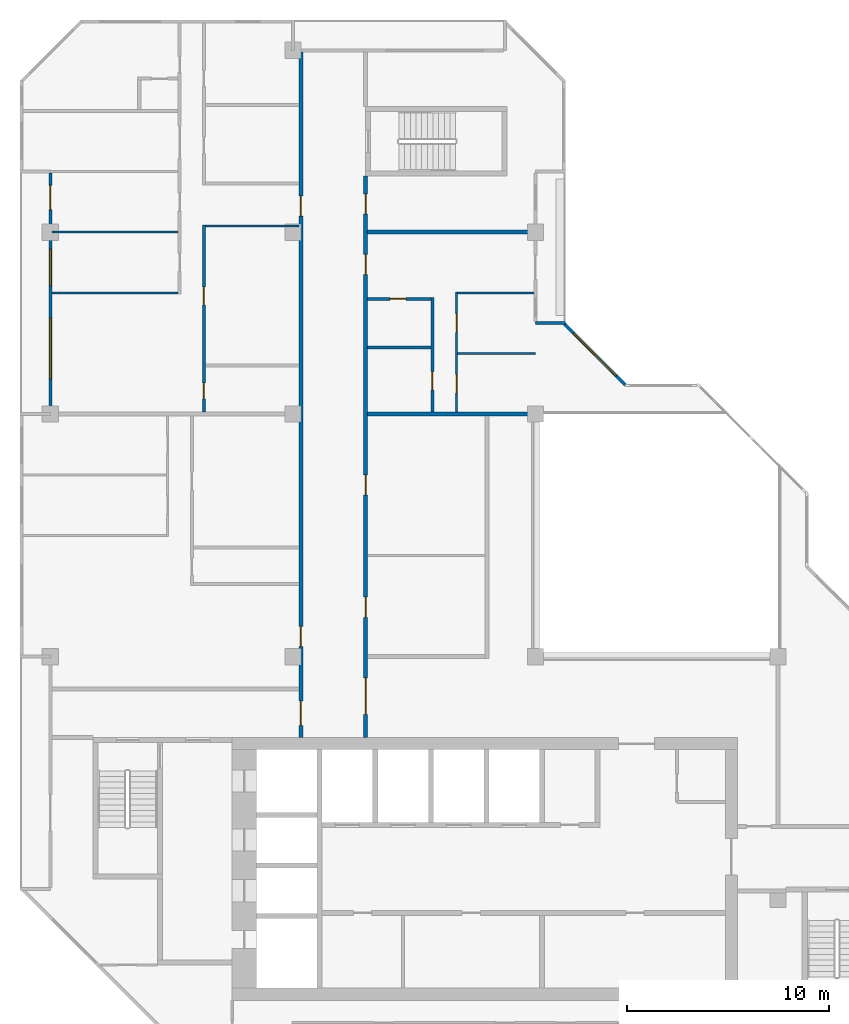
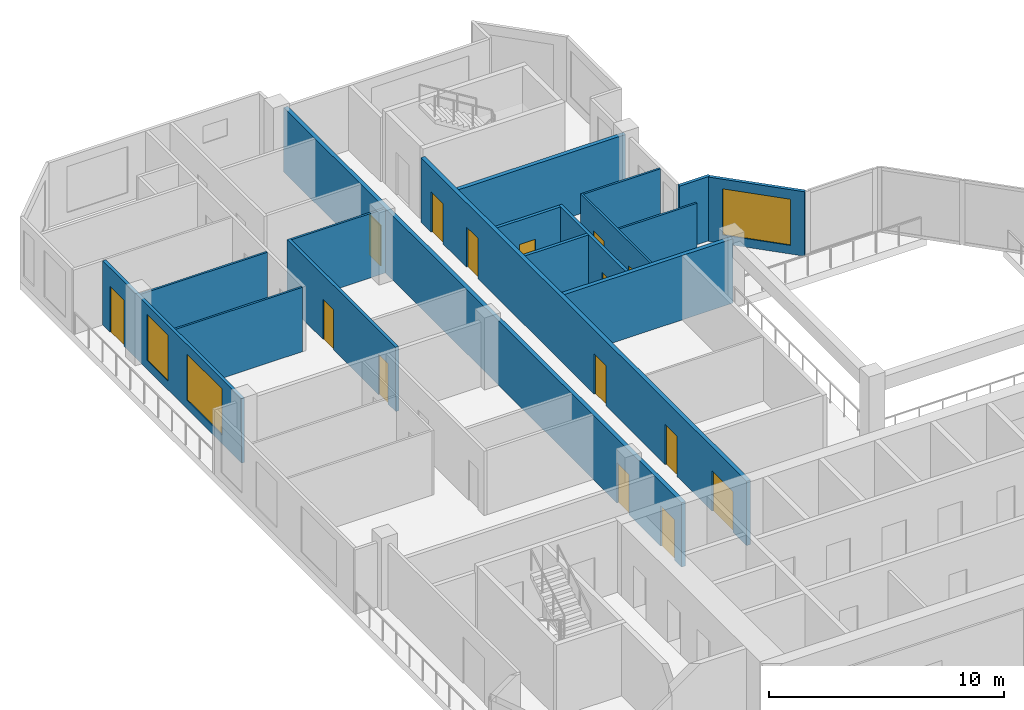
# One storey, part 9 of 13: 17 walls, 15 doors, 3 windows, 18 openings.
"""IFC4 building model written with IfcOpenShell, lengths in metres."""

from ifc_helpers import new_model, si_unit, direction, frame, frame_2d, origin, place, context, subcontext, project, spatial, rectangle, extrude, material, layer, layer_set, type_object, element, fill, save


model = new_model("IFC4")

# Units and contexts
model_context = context("Model", 3, precision=1e-05, world=origin(), true_north=direction((0.0, 1.0)))
body_context = subcontext(model_context, "Body", "Model", "MODEL_VIEW")
ifc_project = project(units=[si_unit("LENGTHUNIT", "METRE"), si_unit("AREAUNIT", "SQUARE_METRE"), si_unit("VOLUMEUNIT", "CUBIC_METRE"), si_unit("PLANEANGLEUNIT", "RADIAN"), si_unit("MASSUNIT", "GRAM", prefix="KILO")], contexts=[model_context])

# Site, building, storey
site_placement = place(None, origin())
site = spatial("IfcSite", under=ifc_project, at=site_placement, CompositionType="ELEMENT")
building_placement = place(site_placement, origin())
building = spatial("IfcBuilding", under=site, at=building_placement, Name="Chenar Terraces", CompositionType="ELEMENT")
storey_placement = place(building_placement, frame((0.0, 0.0, 284.64990234375)))
storey = spatial("IfcBuildingStorey", under=building, at=storey_placement, Name="L66", CompositionType="ELEMENT", Elevation=284.64990234375)

# Wall, openings, doors
ifc_material_1 = material(Name="Gypsum board on steel studs with fire boards", Category="steel")
ifc_layer_1 = layer(ifc_material_1, 0.199951171875)
ifc_layer_set_1 = layer_set([ifc_layer_1], Name="Gypsum board on steel studs with fire boards")
wall_type_1 = type_object("IfcWallType", Name="Corridor wall 200", PredefinedType="PARTITIONING", material=ifc_layer_set_1)
wall_1_placement = place(storey_placement, frame((12.39990234375, 20.0, 0.0), z_axis=(0.0, 0.0, 1.0), x_axis=(0.0, 1.0, 0.0)))
wall_1 = element("IfcWall", 1, at=wall_1_placement, inside=storey, type_object=wall_type_1, Name="Partition L66-028", PredefinedType="PARTITIONING", context=body_context, shape_type="SweptSolid", body=[
    extrude(rectangle(XDim=33.926025390625, YDim=0.199951171875, at=frame_2d((16.962890625, 0.0))), origin(), (0.0, 0.0, 1.0), 3.35009765625),
])
opening_1_placement = place(wall_1_placement, frame((25.800048828125, 0.0, 0.0)))
opening_1 = element("IfcOpeningElement", 2, at=opening_1_placement, cuts=wall_1, Name="Opening DL66-24", PredefinedType="OPENING", context=body_context, shape_type="SweptSolid", body=[
    extrude(rectangle(XDim=1.0, YDim=2.10009765625, at=frame_2d((0.5, 1.050048828125))), frame((0.0, 0.10986328125, 0.0), z_axis=(0.0, -1.0, 0.0), x_axis=(1.0, 0.0, 0.0)), (0.0, 0.0, 1.0), 0.219970703125),
])
opening_2_placement = place(wall_1_placement, frame((0.60009765625, 0.0, 0.0)))
opening_2 = element("IfcOpeningElement", 3, at=opening_2_placement, cuts=wall_1, Name="Opening DL66-30", PredefinedType="OPENING", context=body_context, shape_type="SweptSolid", body=[
    extrude(rectangle(XDim=1.199951171875, YDim=2.10009765625, at=frame_2d((0.60009765625, 1.050048828125))), frame((0.0, 0.10986328125, 0.0), z_axis=(0.0, -1.0, 0.0), x_axis=(1.0, 0.0, 0.0)), (0.0, 0.0, 1.0), 0.219970703125),
])
opening_3_placement = place(wall_1_placement, frame((4.5, 0.0, 0.0)))
opening_3 = element("IfcOpeningElement", 4, at=opening_3_placement, cuts=wall_1, Name="Opening DL66-53", PredefinedType="OPENING", context=body_context, shape_type="SweptSolid", body=[
    extrude(rectangle(XDim=1.0, YDim=2.10009765625, at=frame_2d((0.5, 1.050048828125))), frame((0.0, 0.10986328125, 0.0), z_axis=(0.0, -1.0, 0.0), x_axis=(1.0, 0.0, 0.0)), (0.0, 0.0, 1.0), 0.219970703125),
])
ifc_material_2 = material(Name="Steel-framed fire-resisting door leaf", Category="steel")
door_type_1 = type_object("IfcDoorType", Name="Fire door FD30S 1000 x 2100", OperationType="SINGLE_SWING_LEFT", PredefinedType="DOOR", material=ifc_material_2)
door_1_placement = place(opening_1_placement, origin())
door_1 = element("IfcDoor", 5, at=door_1_placement, inside=storey, type_object=door_type_1, Name="Door DL66-24", OperationType="SINGLE_SWING_LEFT", OverallHeight=2.10009765625, OverallWidth=1.0, PredefinedType="DOOR", context=body_context, shape_type="SweptSolid", body=[
    extrude(rectangle(XDim=1.0, YDim=2.10009765625, at=frame_2d((0.5, 1.050048828125))), frame((0.0, 0.02490234375, 0.0), z_axis=(0.0, -1.0, 0.0), x_axis=(1.0, 0.0, 0.0)), (0.0, 0.0, 1.0), 0.050048828125),
])
fill(opening_1, door_1)
door_2_placement = place(opening_3_placement, origin())
door_2 = element("IfcDoor", 6, at=door_2_placement, inside=storey, type_object=door_type_1, Name="Door DL66-53", OperationType="SINGLE_SWING_LEFT", OverallHeight=2.10009765625, OverallWidth=1.0, PredefinedType="DOOR", context=body_context, shape_type="SweptSolid", body=[
    extrude(rectangle(XDim=1.0, YDim=2.10009765625, at=frame_2d((0.5, 1.050048828125))), frame((0.0, 0.02490234375, 0.0), z_axis=(0.0, -1.0, 0.0), x_axis=(1.0, 0.0, 0.0)), (0.0, 0.0, 1.0), 0.050048828125),
])
fill(opening_3, door_2)
ifc_material_3 = material(Name="Steel-framed fire-resisting door leaf", Category="steel")
door_type_2 = type_object("IfcDoorType", Name="Fire door FD30S 1200 x 2100", OperationType="SINGLE_SWING_LEFT", PredefinedType="DOOR", material=ifc_material_3)
door_3_placement = place(opening_2_placement, origin())
door_3 = element("IfcDoor", 7, at=door_3_placement, inside=storey, type_object=door_type_2, Name="Door DL66-30", OperationType="SINGLE_SWING_RIGHT", OverallHeight=2.10009765625, OverallWidth=1.199951171875, PredefinedType="DOOR", context=body_context, shape_type="SweptSolid", body=[
    extrude(rectangle(XDim=1.199951171875, YDim=2.10009765625, at=frame_2d((0.60009765625, 1.050048828125))), frame((0.0, 0.02490234375, 0.0), z_axis=(0.0, -1.0, 0.0), x_axis=(1.0, 0.0, 0.0)), (0.0, 0.0, 1.0), 0.050048828125),
])
fill(opening_2, door_3)

wall_2_placement = place(storey_placement, frame((15.60009765625, 20.0, 0.0), z_axis=(0.0, 0.0, 1.0), x_axis=(0.0, 1.0, 0.0)))
wall_2 = element("IfcWall", 8, at=wall_2_placement, inside=storey, type_object=wall_type_1, Name="Partition L66-029", PredefinedType="PARTITIONING", context=body_context, shape_type="SweptSolid", body=[
    extrude(rectangle(XDim=27.77490234375, YDim=0.199951171875, at=frame_2d((13.887451171875, 0.0))), origin(), (0.0, 0.0, 1.0), 3.35009765625),
])
opening_4_placement = place(wall_2_placement, frame((5.949951171875, 0.0, 0.0)))
opening_4 = element("IfcOpeningElement", 9, at=opening_4_placement, cuts=wall_2, Name="Opening DL66-1", PredefinedType="OPENING", context=body_context, shape_type="SweptSolid", body=[
    extrude(rectangle(XDim=1.0, YDim=2.10009765625, at=frame_2d((0.5, 1.050048828125))), frame((0.0, 0.10986328125, 0.0), z_axis=(0.0, -1.0, 0.0), x_axis=(1.0, 0.0, 0.0)), (0.0, 0.0, 1.0), 0.219970703125),
])
opening_5_placement = place(wall_2_placement, frame((12.0, 0.0, 0.0)))
opening_5 = element("IfcOpeningElement", 10, at=opening_5_placement, cuts=wall_2, Name="Opening DL66-2", PredefinedType="OPENING", context=body_context, shape_type="SweptSolid", body=[
    extrude(rectangle(XDim=1.0, YDim=2.10009765625, at=frame_2d((0.5, 1.050048828125))), frame((0.0, 0.10986328125, 0.0), z_axis=(0.0, -1.0, 0.0), x_axis=(1.0, 0.0, 0.0)), (0.0, 0.0, 1.0), 0.219970703125),
])
opening_6_placement = place(wall_2_placement, frame((22.89990234375, 0.0, 0.0)))
opening_6 = element("IfcOpeningElement", 11, at=opening_6_placement, cuts=wall_2, Name="Opening DL66-17", PredefinedType="OPENING", context=body_context, shape_type="SweptSolid", body=[
    extrude(rectangle(XDim=1.0, YDim=2.10009765625, at=frame_2d((0.5, 1.050048828125))), frame((0.0, 0.10986328125, 0.0), z_axis=(0.0, -1.0, 0.0), x_axis=(1.0, 0.0, 0.0)), (0.0, 0.0, 1.0), 0.219970703125),
])
opening_7_placement = place(wall_2_placement, frame((1.14990234375, 0.0, 0.0)))
opening_7 = element("IfcOpeningElement", 12, at=opening_7_placement, cuts=wall_2, Name="Opening DL66-29", PredefinedType="OPENING", context=body_context, shape_type="SweptSolid", body=[
    extrude(rectangle(XDim=1.800048828125, YDim=2.10009765625, at=frame_2d((0.89990234375, 1.050048828125))), frame((0.0, 0.10986328125, 0.0), z_axis=(0.0, -1.0, 0.0), x_axis=(1.0, 0.0, 0.0)), (0.0, 0.0, 1.0), 0.219970703125),
])
opening_8_placement = place(wall_2_placement, frame((25.89990234375, 0.0, 0.0)))
opening_8 = element("IfcOpeningElement", 13, at=opening_8_placement, cuts=wall_2, Name="Opening DL66-32", PredefinedType="OPENING", context=body_context, shape_type="SweptSolid", body=[
    extrude(rectangle(XDim=1.0, YDim=2.10009765625, at=frame_2d((0.5, 1.050048828125))), frame((0.0, 0.10986328125, 0.0), z_axis=(0.0, -1.0, 0.0), x_axis=(1.0, 0.0, 0.0)), (0.0, 0.0, 1.0), 0.219970703125),
])
ifc_material_4 = material(Name="Steel-framed fire-resisting door leaf", Category="steel")
door_type_3 = type_object("IfcDoorType", Name="Fire door FD60 1000 x 2100", OperationType="SINGLE_SWING_LEFT", PredefinedType="DOOR", material=ifc_material_4)
door_4_placement = place(opening_4_placement, frame((1.0, 0.0, 0.0), z_axis=(0.0, 0.0, 1.0), x_axis=(-1.0, 0.0, 0.0)))
door_4 = element("IfcDoor", 14, at=door_4_placement, inside=storey, type_object=door_type_3, Name="Door DL66-1", OperationType="SINGLE_SWING_LEFT", OverallHeight=2.10009765625, OverallWidth=1.0, PredefinedType="DOOR", context=body_context, shape_type="SweptSolid", body=[
    extrude(rectangle(XDim=1.0, YDim=2.10009765625, at=frame_2d((0.5, 1.050048828125))), frame((0.0, 0.02490234375, 0.0), z_axis=(0.0, -1.0, 0.0), x_axis=(1.0, 0.0, 0.0)), (0.0, 0.0, 1.0), 0.050048828125),
])
fill(opening_4, door_4)
door_5_placement = place(opening_5_placement, frame((1.0, 0.0, 0.0), z_axis=(0.0, 0.0, 1.0), x_axis=(-1.0, 0.0, 0.0)))
door_5 = element("IfcDoor", 15, at=door_5_placement, inside=storey, type_object=door_type_3, Name="Door DL66-2", OperationType="SINGLE_SWING_LEFT", OverallHeight=2.10009765625, OverallWidth=1.0, PredefinedType="DOOR", context=body_context, shape_type="SweptSolid", body=[
    extrude(rectangle(XDim=1.0, YDim=2.10009765625, at=frame_2d((0.5, 1.050048828125))), frame((0.0, 0.02490234375, 0.0), z_axis=(0.0, -1.0, 0.0), x_axis=(1.0, 0.0, 0.0)), (0.0, 0.0, 1.0), 0.050048828125),
])
fill(opening_5, door_5)
door_6_placement = place(opening_6_placement, frame((1.0, 0.0, 0.0), z_axis=(0.0, 0.0, 1.0), x_axis=(-1.0, 0.0, 0.0)))
door_6 = element("IfcDoor", 16, at=door_6_placement, inside=storey, type_object=door_type_3, Name="Door DL66-17", OperationType="SINGLE_SWING_LEFT", OverallHeight=2.10009765625, OverallWidth=1.0, PredefinedType="DOOR", context=body_context, shape_type="SweptSolid", body=[
    extrude(rectangle(XDim=1.0, YDim=2.10009765625, at=frame_2d((0.5, 1.050048828125))), frame((0.0, 0.02490234375, 0.0), z_axis=(0.0, -1.0, 0.0), x_axis=(1.0, 0.0, 0.0)), (0.0, 0.0, 1.0), 0.050048828125),
])
fill(opening_6, door_6)
door_7_placement = place(opening_8_placement, frame((1.0, 0.0, 0.0), z_axis=(0.0, 0.0, 1.0), x_axis=(-1.0, 0.0, 0.0)))
door_7 = element("IfcDoor", 17, at=door_7_placement, inside=storey, type_object=door_type_3, Name="Door DL66-32", OperationType="SINGLE_SWING_RIGHT", OverallHeight=2.10009765625, OverallWidth=1.0, PredefinedType="DOOR", context=body_context, shape_type="SweptSolid", body=[
    extrude(rectangle(XDim=1.0, YDim=2.10009765625, at=frame_2d((0.5, 1.050048828125))), frame((0.0, 0.02490234375, 0.0), z_axis=(0.0, -1.0, 0.0), x_axis=(1.0, 0.0, 0.0)), (0.0, 0.0, 1.0), 0.050048828125),
])
fill(opening_8, door_7)
ifc_material_5 = material(Name="Steel-framed fire-resisting door leaf", Category="steel")
door_type_4 = type_object("IfcDoorType", Name="Fire double door FD60 1800 x 2100", OperationType="DOUBLE_DOOR_SINGLE_SWING", PredefinedType="DOOR", material=ifc_material_5)
door_8_placement = place(opening_7_placement, frame((1.800048828125, 0.0, 0.0), z_axis=(0.0, 0.0, 1.0), x_axis=(-1.0, 0.0, 0.0)))
door_8 = element("IfcDoor", 18, at=door_8_placement, inside=storey, type_object=door_type_4, Name="Door DL66-29", OperationType="DOUBLE_DOOR_SINGLE_SWING", OverallHeight=2.10009765625, OverallWidth=1.800048828125, PredefinedType="DOOR", context=body_context, shape_type="SweptSolid", body=[
    extrude(rectangle(XDim=1.800048828125, YDim=2.10009765625, at=frame_2d((0.89990234375, 1.050048828125))), frame((0.0, 0.02490234375, 0.0), z_axis=(0.0, -1.0, 0.0), x_axis=(1.0, 0.0, 0.0)), (0.0, 0.0, 1.0), 0.050048828125),
])
fill(opening_7, door_8)

# Wall, openings, windows, door
ifc_material_6 = material(Name="Aluminium framed glazing", Category="aluminium")
ifc_layer_2 = layer(ifc_material_6, 0.14990234375)
ifc_layer_set_2 = layer_set([ifc_layer_2], Name="Aluminium framed glazing")
wall_type_2 = type_object("IfcWallType", Name="Glazed loggia back wall 150", PredefinedType="SOLIDWALL", material=ifc_layer_set_2)
wall_3_placement = place(storey_placement, frame((0.0, 47.925048828125, 0.0), z_axis=(0.0, 0.0, 1.0), x_axis=(0.0, -1.0, 0.0)))
wall_3 = element("IfcWall", 19, at=wall_3_placement, inside=storey, type_object=wall_type_2, Name="Glazed loggia back wall", PredefinedType="SOLIDWALL", context=body_context, shape_type="SweptSolid", body=[
    extrude(rectangle(XDim=11.85009765625, YDim=0.14990234375, at=frame_2d((5.925048828125, 0.0))), origin(), (0.0, 0.0, 1.0), 3.35009765625),
])
opening_9_placement = place(wall_3_placement, frame((0.612548828125, 0.0, 0.0)))
opening_9 = element("IfcOpeningElement", 20, at=opening_9_placement, cuts=wall_3, Name="Opening DL66-G3", PredefinedType="OPENING", context=body_context, shape_type="SweptSolid", body=[
    extrude(rectangle(XDim=1.199951171875, YDim=2.39990234375, at=frame_2d((0.60009765625, 1.199951171875))), frame((0.0, 0.0849609375, 0.0), z_axis=(0.0, -1.0, 0.0), x_axis=(1.0, 0.0, 0.0)), (0.0, 0.0, 1.0), 0.169921875),
])
opening_10_placement = place(wall_3_placement, frame((3.77490234375, 0.0, 0.449951171875)))
opening_10 = element("IfcOpeningElement", 21, at=opening_10_placement, cuts=wall_3, Name="Opening W180x240", PredefinedType="OPENING", context=body_context, shape_type="SweptSolid", body=[
    extrude(rectangle(XDim=1.800048828125, YDim=2.39990234375, at=frame_2d((0.89990234375, 1.199951171875))), frame((0.0, 0.0849609375, 0.0), z_axis=(0.0, -1.0, 0.0), x_axis=(1.0, 0.0, 0.0)), (0.0, 0.0, 1.0), 0.169921875),
])
opening_11_placement = place(wall_3_placement, frame((7.175048828125, 0.0, 0.449951171875)))
opening_11 = element("IfcOpeningElement", 22, at=opening_11_placement, cuts=wall_3, Name="Opening W300x240", PredefinedType="OPENING", context=body_context, shape_type="SweptSolid", body=[
    extrude(rectangle(XDim=3.0, YDim=2.39990234375, at=frame_2d((1.5, 1.199951171875))), frame((0.0, 0.0849609375, 0.0), z_axis=(0.0, -1.0, 0.0), x_axis=(1.0, 0.0, 0.0)), (0.0, 0.0, 1.0), 0.169921875),
])
ifc_material_7 = material(Name="Low emissivity double glazing, aluminium frame", Category="aluminium")
window_type_1 = type_object("IfcWindowType", Name="Fixed light 1800 x 2400", PartitioningType="SINGLE_PANEL", PredefinedType="WINDOW", material=ifc_material_7)
window_1_placement = place(opening_10_placement, origin())
window_1 = element("IfcWindow", 23, at=window_1_placement, inside=storey, type_object=window_type_1, Name="Window", OverallHeight=2.39990234375, OverallWidth=1.800048828125, PartitioningType="SINGLE_PANEL", PredefinedType="WINDOW", context=body_context, shape_type="SweptSolid", body=[
    extrude(rectangle(XDim=1.800048828125, YDim=2.39990234375, at=frame_2d((0.89990234375, 1.199951171875))), frame((0.0, 0.030029296875, 0.0), z_axis=(0.0, -1.0, 0.0), x_axis=(1.0, 0.0, 0.0)), (0.0, 0.0, 1.0), 0.06005859375),
])
fill(opening_10, window_1)
ifc_material_8 = material(Name="Low emissivity double glazing, aluminium frame", Category="aluminium")
window_type_2 = type_object("IfcWindowType", Name="Fixed light 3000 x 2400", PartitioningType="SINGLE_PANEL", PredefinedType="WINDOW", material=ifc_material_8)
window_2_placement = place(opening_11_placement, origin())
window_2 = element("IfcWindow", 24, at=window_2_placement, inside=storey, type_object=window_type_2, Name="Window", OverallHeight=2.39990234375, OverallWidth=3.0, PartitioningType="SINGLE_PANEL", PredefinedType="WINDOW", context=body_context, shape_type="SweptSolid", body=[
    extrude(rectangle(XDim=3.0, YDim=2.39990234375, at=frame_2d((1.5, 1.199951171875))), frame((0.0, 0.030029296875, 0.0), z_axis=(0.0, -1.0, 0.0), x_axis=(1.0, 0.0, 0.0)), (0.0, 0.0, 1.0), 0.06005859375),
])
fill(opening_11, window_2)
ifc_material_9 = material(Name="Low emissivity double glazing, aluminium frame", Category="aluminium")
door_type_5 = type_object("IfcDoorType", Name="Loggia glazed double door 1200 x 2400", OperationType="DOUBLE_DOOR_SINGLE_SWING", PredefinedType="DOOR", material=ifc_material_9)
door_9_placement = place(opening_9_placement, frame((1.199951171875, 0.0, 0.0), z_axis=(0.0, 0.0, 1.0), x_axis=(-1.0, 0.0, 0.0)))
door_9 = element("IfcDoor", 25, at=door_9_placement, inside=storey, type_object=door_type_5, Name="Loggia glazed door", OperationType="DOUBLE_DOOR_SINGLE_SWING", OverallHeight=2.39990234375, OverallWidth=1.199951171875, PredefinedType="DOOR", context=body_context, shape_type="SweptSolid", body=[
    extrude(rectangle(XDim=1.199951171875, YDim=2.39990234375, at=frame_2d((0.60009765625, 1.199951171875))), frame((0.0, 0.02490234375, 0.0), z_axis=(0.0, -1.0, 0.0), x_axis=(1.0, 0.0, 0.0)), (0.0, 0.0, 1.0), 0.050048828125),
])
fill(opening_9, door_9)

# Walls
ifc_material_10 = material(Name="Gypsum board on steel studs", Category="steel")
ifc_layer_3 = layer(ifc_material_10, 0.10009765625)
ifc_layer_set_3 = layer_set([ifc_layer_3], Name="Gypsum board on steel studs")
wall_type_3 = type_object("IfcWallType", Name="Gypsum partition 100", PredefinedType="PARTITIONING", material=ifc_layer_set_3)
for number, where, z_axis, x_axis, name in (
    (26, (0.073974609375, 42.0, 0.0), (0.0, 0.0, 1.0), (1.0, 0.0, 0.0), "Partition L66-008"),
    (27, (0.073974609375, 45.0, 0.0), (0.0, 0.0, 1.0), (1.0, 0.0, 0.0), "Partition L66-009"),
):
    element("IfcWall", number, at=place(storey_placement, frame(where, z_axis=z_axis, x_axis=x_axis)), inside=storey, type_object=wall_type_3, Name=name, PredefinedType="PARTITIONING", context=body_context, shape_type="SweptSolid", body=[
        extrude(rectangle(XDim=6.2509765625, YDim=0.10009765625, at=frame_2d((3.12548828125, 0.0))), origin(), (0.0, 0.0, 1.0), 3.35009765625),
    ])
wall_4_placement = place(storey_placement, frame((7.675048828125, 45.300048828125, 0.0), z_axis=(0.0, 0.0, 1.0), x_axis=(1.0, 0.0, 0.0)))
element("IfcWall", 28, at=wall_4_placement, inside=storey, type_object=wall_type_3, Name="Partition L66-021", PredefinedType="PARTITIONING", context=body_context, shape_type="SweptSolid", body=[
    extrude(rectangle(XDim=4.625, YDim=0.10009765625, at=frame_2d((2.3125, 0.0))), origin(), (0.0, 0.0, 1.0), 3.35009765625),
])

# Wall, openings, doors
wall_5_placement = place(storey_placement, frame((20.10009765625, 36.10009765625, 0.0), z_axis=(0.0, 0.0, 1.0), x_axis=(0.0, 1.0, 0.0)))
wall_5 = element("IfcWall", 29, at=wall_5_placement, inside=storey, type_object=wall_type_3, Name="Partition L66-038", PredefinedType="PARTITIONING", context=body_context, shape_type="SweptSolid", body=[
    extrude(rectangle(XDim=5.949951171875, YDim=0.10009765625, at=frame_2d((2.97509765625, 0.0))), origin(), (0.0, 0.0, 1.0), 3.35009765625),
])
opening_12_placement = place(wall_5_placement, frame((0.949951171875, 0.0, 0.0)))
opening_12 = element("IfcOpeningElement", 30, at=opening_12_placement, cuts=wall_5, Name="Opening DL66-14", PredefinedType="OPENING", context=body_context, shape_type="SweptSolid", body=[
    extrude(rectangle(XDim=0.89990234375, YDim=2.10009765625, at=frame_2d((0.449951171875, 1.050048828125))), frame((0.0, 0.06005859375, 0.0), z_axis=(0.0, -1.0, 0.0), x_axis=(1.0, 0.0, 0.0)), (0.0, 0.0, 1.0), 0.1201171875),
])
opening_13_placement = place(wall_5_placement, frame((3.949951171875, 0.0, 0.0)))
opening_13 = element("IfcOpeningElement", 31, at=opening_13_placement, cuts=wall_5, Name="Opening DL66-15", PredefinedType="OPENING", context=body_context, shape_type="SweptSolid", body=[
    extrude(rectangle(XDim=0.89990234375, YDim=2.10009765625, at=frame_2d((0.449951171875, 1.050048828125))), frame((0.0, 0.06005859375, 0.0), z_axis=(0.0, -1.0, 0.0), x_axis=(1.0, 0.0, 0.0)), (0.0, 0.0, 1.0), 0.1201171875),
])
ifc_material_11 = material(Name="Veneered timber door leaf", Category="wood")
door_type_6 = type_object("IfcDoorType", Name="Door 900 x 2100", OperationType="SINGLE_SWING_LEFT", PredefinedType="DOOR", material=ifc_material_11)
door_10_placement = place(opening_12_placement, frame((0.89990234375, 0.0, 0.0), z_axis=(0.0, 0.0, 1.0), x_axis=(-1.0, 0.0, 0.0)))
door_10 = element("IfcDoor", 32, at=door_10_placement, inside=storey, type_object=door_type_6, Name="Door DL66-14", OperationType="SINGLE_SWING_LEFT", OverallHeight=2.10009765625, OverallWidth=0.89990234375, PredefinedType="DOOR", context=body_context, shape_type="SweptSolid", body=[
    extrude(rectangle(XDim=0.89990234375, YDim=2.10009765625, at=frame_2d((0.449951171875, 1.050048828125))), frame((0.0, 0.02490234375, 0.0), z_axis=(0.0, -1.0, 0.0), x_axis=(1.0, 0.0, 0.0)), (0.0, 0.0, 1.0), 0.050048828125),
])
fill(opening_12, door_10)
door_11_placement = place(opening_13_placement, frame((0.89990234375, 0.0, 0.0), z_axis=(0.0, 0.0, 1.0), x_axis=(-1.0, 0.0, 0.0)))
door_11 = element("IfcDoor", 33, at=door_11_placement, inside=storey, type_object=door_type_6, Name="Door DL66-15", OperationType="SINGLE_SWING_LEFT", OverallHeight=2.10009765625, OverallWidth=0.89990234375, PredefinedType="DOOR", context=body_context, shape_type="SweptSolid", body=[
    extrude(rectangle(XDim=0.89990234375, YDim=2.10009765625, at=frame_2d((0.449951171875, 1.050048828125))), frame((0.0, 0.02490234375, 0.0), z_axis=(0.0, -1.0, 0.0), x_axis=(1.0, 0.0, 0.0)), (0.0, 0.0, 1.0), 0.050048828125),
])
fill(opening_13, door_11)

# Walls
wall_6_placement = place(storey_placement, frame((20.14990234375, 39.0, 0.0), z_axis=(0.0, 0.0, 1.0), x_axis=(1.0, 0.0, 0.0)))
element("IfcWall", 34, at=wall_6_placement, inside=storey, type_object=wall_type_3, Name="Partition L66-039", PredefinedType="PARTITIONING", context=body_context, shape_type="SweptSolid", body=[
    extrude(rectangle(XDim=3.85009765625, YDim=0.10009765625, at=frame_2d((1.925048828125, 0.0))), origin(), (0.0, 0.0, 1.0), 3.35009765625),
])
wall_7_placement = place(storey_placement, frame((20.14990234375, 42.0, 0.0), z_axis=(0.0, 0.0, 1.0), x_axis=(1.0, 0.0, 0.0)))
element("IfcWall", 35, at=wall_7_placement, inside=storey, type_object=wall_type_3, Name="Partition L66-040", PredefinedType="PARTITIONING", context=body_context, shape_type="SweptSolid", body=[
    extrude(rectangle(XDim=3.776123046875, YDim=0.10009765625, at=frame_2d((1.88818359375, 0.0))), origin(), (0.0, 0.0, 1.0), 3.35009765625),
])
ifc_material_12 = material(Name="Terracotta cladding on insulated backing", Category="masonry")
ifc_layer_4 = layer(ifc_material_12, 0.14990234375)
ifc_layer_set_4 = layer_set([ifc_layer_4], Name="Terracotta cladding on insulated backing")
wall_type_4 = type_object("IfcWallType", Name="Loggia return wall 150", PredefinedType="SOLIDWALL", material=ifc_layer_set_4)
wall_8_placement = place(storey_placement, frame((25.5, 40.5, 0.0), z_axis=(0.0, 0.0, 1.0), x_axis=(-1.0, 0.0, 0.0)))
element("IfcWall", 36, at=wall_8_placement, inside=storey, type_object=wall_type_4, Name="Loggia return wall", PredefinedType="SOLIDWALL", context=body_context, shape_type="SweptSolid", body=[
    extrude(rectangle(XDim=1.5, YDim=0.14990234375, at=frame_2d((0.75, 0.0))), origin(), (0.0, 0.0, 1.0), 3.35009765625),
])

# Wall, opening, window
ifc_material_13 = material(Name="Terracotta cladding on insulated backing", Category="masonry")
ifc_layer_5 = layer(ifc_material_13, 0.14990234375)
ifc_layer_set_5 = layer_set([ifc_layer_5], Name="Terracotta cladding on insulated backing")
wall_type_5 = type_object("IfcWallType", Name="Terracotta rainscreen wall 150", PredefinedType="SOLIDWALL", material=ifc_layer_set_5)
wall_9_placement = place(storey_placement, frame((28.447021484375, 37.447021484375, 0.0), z_axis=(0.0, 0.0, 1.0), x_axis=(-0.707106781187, 0.707106781187, 0.0)))
wall_9 = element("IfcWall", 37, at=wall_9_placement, inside=storey, type_object=wall_type_5, Name="Terracotta rainscreen wall", PredefinedType="SOLIDWALL", context=body_context, shape_type="SweptSolid", body=[
    extrude(rectangle(XDim=4.24267578125, YDim=0.14990234375, at=frame_2d((2.121337890625, 0.0))), origin(), (0.0, 0.0, 1.0), 3.35009765625),
])
opening_14_placement = place(wall_9_placement, frame((0.621337890625, 0.0, 0.449951171875)))
opening_14 = element("IfcOpeningElement", 38, at=opening_14_placement, cuts=wall_9, Name="Opening W300x240", PredefinedType="OPENING", context=body_context, shape_type="SweptSolid", body=[
    extrude(rectangle(XDim=3.0, YDim=2.39990234375, at=frame_2d((1.5, 1.199951171875))), frame((0.0, 0.0849609375, 0.0), z_axis=(0.0, -1.0, 0.0), x_axis=(1.0, 0.0, 0.0)), (0.0, 0.0, 1.0), 0.169921875),
])
window_3_placement = place(opening_14_placement, origin())
window_3 = element("IfcWindow", 39, at=window_3_placement, inside=storey, type_object=window_type_2, Name="Window", OverallHeight=2.39990234375, OverallWidth=3.0, PartitioningType="SINGLE_PANEL", PredefinedType="WINDOW", context=body_context, shape_type="SweptSolid", body=[
    extrude(rectangle(XDim=3.0, YDim=2.39990234375, at=frame_2d((1.5, 1.199951171875))), frame((0.0, 0.030029296875, 0.0), z_axis=(0.0, -1.0, 0.0), x_axis=(1.0, 0.0, 0.0)), (0.0, 0.0, 1.0), 0.06005859375),
])
fill(opening_14, window_3)

# Walls
ifc_material_14 = material(Name="Twin gypsum board on steel studs with mineral wool", Category="steel")
ifc_layer_6 = layer(ifc_material_14, 0.199951171875)
ifc_layer_set_6 = layer_set([ifc_layer_6], Name="Twin gypsum board on steel studs with mineral wool")
wall_type_6 = type_object("IfcWallType", Name="Unit demising wall 200", PredefinedType="PARTITIONING", material=ifc_layer_set_6)
wall_10_placement = place(storey_placement, frame((15.699951171875, 36.0, 0.0), z_axis=(0.0, 0.0, 1.0), x_axis=(1.0, 0.0, 0.0)))
element("IfcWall", 40, at=wall_10_placement, inside=storey, type_object=wall_type_6, Name="Partition L66-033", PredefinedType="PARTITIONING", context=body_context, shape_type="SweptSolid", body=[
    extrude(rectangle(XDim=8.300048828125, YDim=0.199951171875, at=frame_2d((4.14990234375, 0.0))), origin(), (0.0, 0.0, 1.0), 3.35009765625),
])
wall_11_placement = place(storey_placement, frame((15.699951171875, 45.0, 0.0), z_axis=(0.0, 0.0, 1.0), x_axis=(1.0, 0.0, 0.0)))
element("IfcWall", 41, at=wall_11_placement, inside=storey, type_object=wall_type_6, Name="Partition L66-036", PredefinedType="PARTITIONING", context=body_context, shape_type="SweptSolid", body=[
    extrude(rectangle(XDim=8.22607421875, YDim=0.199951171875, at=frame_2d((4.113037109375, 0.0))), origin(), (0.0, 0.0, 1.0), 3.35009765625),
])

# Wall, openings, doors
ifc_material_15 = material(Name="Moisture-resistant gypsum board on steel studs", Category="steel")
ifc_layer_7 = layer(ifc_material_15, 0.14990234375)
ifc_layer_set_7 = layer_set([ifc_layer_7], Name="Moisture-resistant gypsum board on steel studs")
wall_type_7 = type_object("IfcWallType", Name="Wet-room partition 150", PredefinedType="PARTITIONING", material=ifc_layer_set_7)
wall_12_placement = place(storey_placement, frame((7.60009765625, 36.10009765625, 0.0), z_axis=(0.0, 0.0, 1.0), x_axis=(0.0, 1.0, 0.0)))
wall_12 = element("IfcWall", 42, at=wall_12_placement, inside=storey, type_object=wall_type_7, Name="Partition L66-018", PredefinedType="PARTITIONING", context=body_context, shape_type="SweptSolid", body=[
    extrude(rectangle(XDim=9.25, YDim=0.14990234375, at=frame_2d((4.625, 0.0))), origin(), (0.0, 0.0, 1.0), 3.35009765625),
])
opening_15_placement = place(wall_12_placement, frame((5.300048828125, 0.0, 0.0)))
opening_15 = element("IfcOpeningElement", 43, at=opening_15_placement, cuts=wall_12, Name="Opening DL66-21", PredefinedType="OPENING", context=body_context, shape_type="SweptSolid", body=[
    extrude(rectangle(XDim=0.89990234375, YDim=2.10009765625, at=frame_2d((0.449951171875, 1.050048828125))), frame((0.0, 0.0849609375, 0.0), z_axis=(0.0, -1.0, 0.0), x_axis=(1.0, 0.0, 0.0)), (0.0, 0.0, 1.0), 0.169921875),
])
opening_16_placement = place(wall_12_placement, frame((0.64990234375, 0.0, 0.0)))
opening_16 = element("IfcOpeningElement", 44, at=opening_16_placement, cuts=wall_12, Name="Opening DL66-22", PredefinedType="OPENING", context=body_context, shape_type="SweptSolid", body=[
    extrude(rectangle(XDim=0.800048828125, YDim=2.10009765625, at=frame_2d((0.39990234375, 1.050048828125))), frame((0.0, 0.0849609375, 0.0), z_axis=(0.0, -1.0, 0.0), x_axis=(1.0, 0.0, 0.0)), (0.0, 0.0, 1.0), 0.169921875),
])
ifc_material_16 = material(Name="Veneered timber door leaf", Category="wood")
door_type_7 = type_object("IfcDoorType", Name="Door 800 x 2100", OperationType="SINGLE_SWING_LEFT", PredefinedType="DOOR", material=ifc_material_16)
door_12_placement = place(opening_16_placement, frame((0.800048828125, 0.0, 0.0), z_axis=(0.0, 0.0, 1.0), x_axis=(-1.0, 0.0, 0.0)))
door_12 = element("IfcDoor", 45, at=door_12_placement, inside=storey, type_object=door_type_7, Name="Door DL66-22", OperationType="SINGLE_SWING_RIGHT", OverallHeight=2.10009765625, OverallWidth=0.800048828125, PredefinedType="DOOR", context=body_context, shape_type="SweptSolid", body=[
    extrude(rectangle(XDim=0.800048828125, YDim=2.10009765625, at=frame_2d((0.39990234375, 1.050048828125))), frame((0.0, 0.02490234375, 0.0), z_axis=(0.0, -1.0, 0.0), x_axis=(1.0, 0.0, 0.0)), (0.0, 0.0, 1.0), 0.050048828125),
])
fill(opening_16, door_12)
door_13_placement = place(opening_15_placement, frame((0.89990234375, 0.0, 0.0), z_axis=(0.0, 0.0, 1.0), x_axis=(-1.0, 0.0, 0.0)))
door_13 = element("IfcDoor", 46, at=door_13_placement, inside=storey, type_object=door_type_6, Name="Door DL66-21", OperationType="SINGLE_SWING_RIGHT", OverallHeight=2.10009765625, OverallWidth=0.89990234375, PredefinedType="DOOR", context=body_context, shape_type="SweptSolid", body=[
    extrude(rectangle(XDim=0.89990234375, YDim=2.10009765625, at=frame_2d((0.449951171875, 1.050048828125))), frame((0.0, 0.02490234375, 0.0), z_axis=(0.0, -1.0, 0.0), x_axis=(1.0, 0.0, 0.0)), (0.0, 0.0, 1.0), 0.050048828125),
])
fill(opening_15, door_13)

# Wall
wall_13_placement = place(storey_placement, frame((15.699951171875, 39.300048828125, 0.0), z_axis=(0.0, 0.0, 1.0), x_axis=(1.0, 0.0, 0.0)))
element("IfcWall", 47, at=wall_13_placement, inside=storey, type_object=wall_type_7, Name="Partition L66-034", PredefinedType="PARTITIONING", context=body_context, shape_type="SweptSolid", body=[
    extrude(rectangle(XDim=3.125, YDim=0.14990234375, at=frame_2d((1.5625, 0.0))), origin(), (0.0, 0.0, 1.0), 3.35009765625),
])

# Wall, opening, door
wall_14_placement = place(storey_placement, frame((15.699951171875, 41.699951171875, 0.0), z_axis=(0.0, 0.0, 1.0), x_axis=(1.0, 0.0, 0.0)))
wall_14 = element("IfcWall", 48, at=wall_14_placement, inside=storey, type_object=wall_type_7, Name="Partition L66-035", PredefinedType="PARTITIONING", context=body_context, shape_type="SweptSolid", body=[
    extrude(rectangle(XDim=3.125, YDim=0.14990234375, at=frame_2d((1.5625, 0.0))), origin(), (0.0, 0.0, 1.0), 3.35009765625),
])
opening_17_placement = place(wall_14_placement, frame((1.10009765625, 0.0, 0.0)))
opening_17 = element("IfcOpeningElement", 49, at=opening_17_placement, cuts=wall_14, Name="Opening DL66-13", PredefinedType="OPENING", context=body_context, shape_type="SweptSolid", body=[
    extrude(rectangle(XDim=0.800048828125, YDim=2.10009765625, at=frame_2d((0.39990234375, 1.050048828125))), frame((0.0, 0.0849609375, 0.0), z_axis=(0.0, -1.0, 0.0), x_axis=(1.0, 0.0, 0.0)), (0.0, 0.0, 1.0), 0.169921875),
])
door_14_placement = place(opening_17_placement, frame((0.800048828125, 0.0, 0.0), z_axis=(0.0, 0.0, 1.0), x_axis=(-1.0, 0.0, 0.0)))
door_14 = element("IfcDoor", 50, at=door_14_placement, inside=storey, type_object=door_type_7, Name="Door DL66-13", OperationType="SINGLE_SWING_RIGHT", OverallHeight=2.10009765625, OverallWidth=0.800048828125, PredefinedType="DOOR", context=body_context, shape_type="SweptSolid", body=[
    extrude(rectangle(XDim=0.800048828125, YDim=2.10009765625, at=frame_2d((0.39990234375, 1.050048828125))), frame((0.0, 0.02490234375, 0.0), z_axis=(0.0, -1.0, 0.0), x_axis=(1.0, 0.0, 0.0)), (0.0, 0.0, 1.0), 0.050048828125),
])
fill(opening_17, door_14)

wall_15_placement = place(storey_placement, frame((18.89990234375, 36.10009765625, 0.0), z_axis=(0.0, 0.0, 1.0), x_axis=(0.0, 1.0, 0.0)))
wall_15 = element("IfcWall", 51, at=wall_15_placement, inside=storey, type_object=wall_type_7, Name="Partition L66-037", PredefinedType="PARTITIONING", context=body_context, shape_type="SweptSolid", body=[
    extrude(rectangle(XDim=5.6748046875, YDim=0.14990234375, at=frame_2d((2.83740234375, 0.0))), origin(), (0.0, 0.0, 1.0), 3.35009765625),
])
opening_18_placement = place(wall_15_placement, frame((1.10009765625, 0.0, 0.0)))
opening_18 = element("IfcOpeningElement", 52, at=opening_18_placement, cuts=wall_15, Name="Opening DL66-16", PredefinedType="OPENING", context=body_context, shape_type="SweptSolid", body=[
    extrude(rectangle(XDim=0.89990234375, YDim=2.10009765625, at=frame_2d((0.449951171875, 1.050048828125))), frame((0.0, 0.0849609375, 0.0), z_axis=(0.0, -1.0, 0.0), x_axis=(1.0, 0.0, 0.0)), (0.0, 0.0, 1.0), 0.169921875),
])
door_15_placement = place(opening_18_placement, origin())
door_15 = element("IfcDoor", 53, at=door_15_placement, inside=storey, type_object=door_type_6, Name="Door DL66-16", OperationType="SINGLE_SWING_LEFT", OverallHeight=2.10009765625, OverallWidth=0.89990234375, PredefinedType="DOOR", context=body_context, shape_type="SweptSolid", body=[
    extrude(rectangle(XDim=0.89990234375, YDim=2.10009765625, at=frame_2d((0.449951171875, 1.050048828125))), frame((0.0, 0.02490234375, 0.0), z_axis=(0.0, -1.0, 0.0), x_axis=(1.0, 0.0, 0.0)), (0.0, 0.0, 1.0), 0.050048828125),
])
fill(opening_18, door_15)

save(model, "model.ifc")
